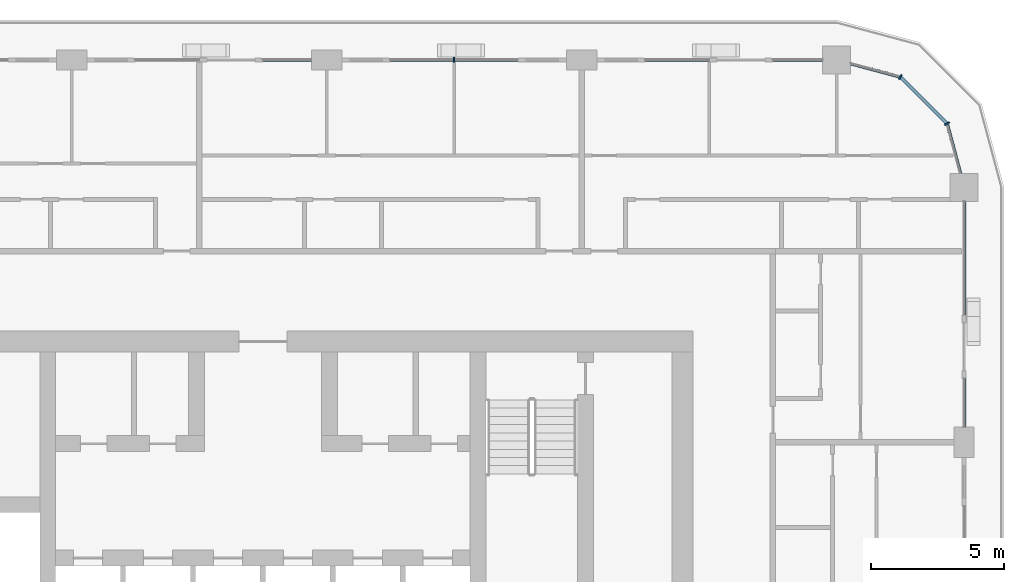
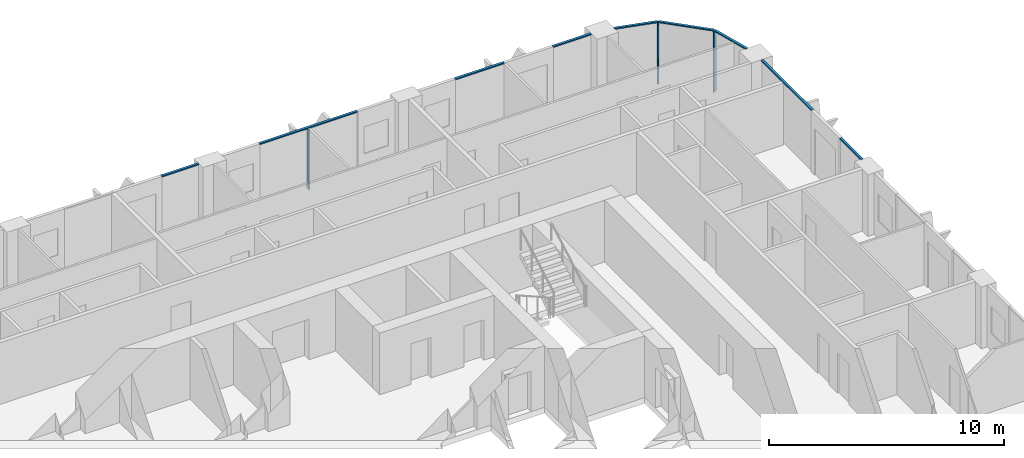
# One storey, part 6 of 22: 12 members, 5 elements without a shape of their own.
"""IFC4 building model written with IfcOpenShell, lengths in metres."""

from ifc_helpers import new_model, si_unit, direction, frame, origin, origin_2d, place, context, subcontext, project, spatial, rectangle, extrude, material, layer, layer_set, material_profile, profile_set, type_object, element, aggregate, save


model = new_model("IFC4")

# Units and contexts
model_context = context("Model", 3, precision=1e-05, world=origin(), true_north=direction((0.0, 1.0)))
body_context = subcontext(model_context, "Body", "Model", "MODEL_VIEW")
ifc_project = project(units=[si_unit("LENGTHUNIT", "METRE"), si_unit("AREAUNIT", "SQUARE_METRE"), si_unit("VOLUMEUNIT", "CUBIC_METRE"), si_unit("PLANEANGLEUNIT", "RADIAN"), si_unit("MASSUNIT", "GRAM", prefix="KILO")], contexts=[model_context])

# Site, building, storey
site_placement = place(None, origin())
site = spatial("IfcSite", under=ifc_project, at=site_placement, CompositionType="ELEMENT")
building_placement = place(site_placement, origin())
building = spatial("IfcBuilding", under=site, at=building_placement, Name="Madar Terraces", CompositionType="ELEMENT")
storey_placement = place(building_placement, frame((0.0, 0.0, 149.0)))
storey = spatial("IfcBuildingStorey", under=building, at=storey_placement, Name="L38", CompositionType="ELEMENT", Elevation=149.0)

# Curtain wall, member
ifc_material_1 = material(Name="Glass, ceramic frit dark grey, with black aluminium frame", Category="aluminium")
ifc_layer = layer(ifc_material_1, 0.199951171875)
ifc_layer_set = layer_set([ifc_layer], Name="Facade curtain wall, fritted glass")
curtain_wall_type = type_object("IfcCurtainWallType", Name="Facade curtain wall, fritted glass", PredefinedType="NOTDEFINED", material=ifc_layer_set)
curtain_wall_1_placement = place(storey_placement, origin())
curtain_wall_1 = element("IfcCurtainWall", 1, at=curtain_wall_1_placement, inside=storey, type_object=curtain_wall_type, Name="Outer skin curtain wall north bay 2", PredefinedType="NOTDEFINED")
ifc_material_2 = material(Name="Aluminium, black anodised", Category="aluminium")
ifc_material_profile_1 = material_profile(ifc_material_2, rectangle(XDim=0.199951171875, YDim=0.06005859375, at=origin_2d()), Name="Facade mullion 60x200")
ifc_profile_set_1 = profile_set([ifc_material_profile_1], Name="Aluminium, black anodised")
member_type_1 = type_object("IfcMemberType", Name="Facade mullion 60x200", PredefinedType="MULLION", material=ifc_profile_set_1)
member_1_placement = place(storey_placement, frame((38.39990234375, 48.0, 0.0), z_axis=(0.0, 0.0, 1.0), x_axis=(0.0, -1.0, 0.0)))
member_1 = element("IfcMember", 2, at=member_1_placement, type_object=member_type_1, Name="Mullion 1", PredefinedType="MULLION", context=body_context, shape_type="SweptSolid", body=[
    extrude(rectangle(XDim=0.199951171875, YDim=0.06005859375, at=origin_2d()), origin(), (0.0, 0.0, 1.0), 3.139892578125),
])

# Curtain wall, members
curtain_wall_2_placement = place(storey_placement, origin())
curtain_wall_2 = element("IfcCurtainWall", 3, at=curtain_wall_2_placement, inside=storey, type_object=curtain_wall_type, Name="Outer skin curtain wall north-east corner", PredefinedType="NOTDEFINED")
member_2_placement = place(storey_placement, frame((56.95703125, 45.60009765625, 0.0), z_axis=(0.0, 0.0, 1.0), x_axis=(-0.866025409797, -0.499999989586, 0.0)))
member_2 = element("IfcMember", 4, at=member_2_placement, type_object=member_type_1, Name="Mullion 1", PredefinedType="MULLION", context=body_context, shape_type="SweptSolid", body=[
    extrude(rectangle(XDim=0.199951171875, YDim=0.06005859375, at=origin_2d()), origin(), (0.0, 0.0, 1.0), 3.139892578125),
])
member_3_placement = place(storey_placement, frame((55.199951171875, 47.35693359375, 0.0), z_axis=(0.0, 0.0, 1.0), x_axis=(-0.499999989586, -0.866025409797, 0.0)))
member_3 = element("IfcMember", 5, at=member_3_placement, type_object=member_type_1, Name="Mullion 2", PredefinedType="MULLION", context=body_context, shape_type="SweptSolid", body=[
    extrude(rectangle(XDim=0.199951171875, YDim=0.06005859375, at=origin_2d()), origin(), (0.0, 0.0, 1.0), 3.139892578125),
])

curtain_wall_3_placement = place(storey_placement, origin())
curtain_wall_3 = element("IfcCurtainWall", 6, at=curtain_wall_3_placement, inside=storey, type_object=curtain_wall_type, Name="Outer skin curtain wall east bay 4", PredefinedType="NOTDEFINED")
ifc_material_3 = material(Name="Aluminium, black anodised", Category="aluminium")
ifc_material_profile_2 = material_profile(ifc_material_3, rectangle(XDim=0.1201171875, YDim=0.06005859375, at=origin_2d()), Name="Facade transom 60x120")
ifc_profile_set_2 = profile_set([ifc_material_profile_2], Name="Aluminium, black anodised")
member_type_2 = type_object("IfcMemberType", Name="Facade transom 60x120", PredefinedType="USERDEFINED", material=ifc_profile_set_2)
member_4_placement = place(storey_placement, frame((57.60009765625, 34.175048828125, 3.169921875), z_axis=(0.0, 1.0, 0.0), x_axis=(-1.0, 0.0, 0.0)))
member_4 = element("IfcMember", 7, at=member_4_placement, type_object=member_type_2, Name="Transom 1", ObjectType="TRANSOM", PredefinedType="USERDEFINED", context=body_context, shape_type="SweptSolid", body=[
    extrude(rectangle(XDim=0.1201171875, YDim=0.06005859375, at=origin_2d()), origin(), (0.0, 0.0, 1.0), 1.824951171875),
])
member_5_placement = place(storey_placement, frame((57.60009765625, 38.39990234375, 3.169921875), z_axis=(0.0, 1.0, 0.0), x_axis=(-1.0, 0.0, 0.0)))
member_5 = element("IfcMember", 8, at=member_5_placement, type_object=member_type_2, Name="Transom 2", ObjectType="TRANSOM", PredefinedType="USERDEFINED", context=body_context, shape_type="SweptSolid", body=[
    extrude(rectangle(XDim=0.1201171875, YDim=0.06005859375, at=origin_2d()), origin(), (0.0, 0.0, 1.0), 4.275146484375),
])
aggregate(curtain_wall_3, [member_4, member_5])

curtain_wall_4_placement = place(storey_placement, origin())
curtain_wall_4 = element("IfcCurtainWall", 9, at=curtain_wall_4_placement, inside=storey, type_object=curtain_wall_type, Name="Outer skin curtain wall north bay 1", PredefinedType="NOTDEFINED")
member_6_placement = place(storey_placement, frame((52.27490234375, 48.0, 3.169921875), z_axis=(-1.0, 0.0, 0.0), x_axis=(0.0, -1.0, 0.0)))
member_6 = element("IfcMember", 10, at=member_6_placement, type_object=member_type_2, Name="Transom 1", ObjectType="TRANSOM", PredefinedType="USERDEFINED", context=body_context, shape_type="SweptSolid", body=[
    extrude(rectangle(XDim=0.1201171875, YDim=0.06005859375, at=origin_2d()), origin(), (0.0, 0.0, 1.0), 1.875),
])
member_7_placement = place(storey_placement, frame((48.0, 48.0, 3.169921875), z_axis=(-1.0, 0.0, 0.0), x_axis=(0.0, -1.0, 0.0)))
member_7 = element("IfcMember", 11, at=member_7_placement, type_object=member_type_2, Name="Transom 2", ObjectType="TRANSOM", PredefinedType="USERDEFINED", context=body_context, shape_type="SweptSolid", body=[
    extrude(rectangle(XDim=0.1201171875, YDim=0.06005859375, at=origin_2d()), origin(), (0.0, 0.0, 1.0), 2.39990234375),
])
aggregate(curtain_wall_4, [member_6, member_7])

# Member
member_8_placement = place(storey_placement, frame((40.800048828125, 48.0, 3.169921875), z_axis=(-1.0, 0.0, 0.0), x_axis=(0.0, -1.0, 0.0)))
member_8 = element("IfcMember", 12, at=member_8_placement, type_object=member_type_2, Name="Transom 1", ObjectType="TRANSOM", PredefinedType="USERDEFINED", context=body_context, shape_type="SweptSolid", body=[
    extrude(rectangle(XDim=0.1201171875, YDim=0.06005859375, at=origin_2d()), origin(), (0.0, 0.0, 1.0), 4.800048828125),
])

aggregate(curtain_wall_1, [member_1, member_8])

# Curtain wall, member
curtain_wall_5_placement = place(storey_placement, origin())
curtain_wall_5 = element("IfcCurtainWall", 13, at=curtain_wall_5_placement, inside=storey, type_object=curtain_wall_type, Name="Outer skin curtain wall north bay 3", PredefinedType="NOTDEFINED")
member_9_placement = place(storey_placement, frame((33.02490234375, 48.0, 3.169921875), z_axis=(-1.0, 0.0, 0.0), x_axis=(0.0, -1.0, 0.0)))
member_9 = element("IfcMember", 14, at=member_9_placement, type_object=member_type_2, Name="Transom 1", ObjectType="TRANSOM", PredefinedType="USERDEFINED", context=body_context, shape_type="SweptSolid", body=[
    extrude(rectangle(XDim=0.1201171875, YDim=0.06005859375, at=origin_2d()), origin(), (0.0, 0.0, 1.0), 1.824951171875),
])
aggregate(curtain_wall_5, [member_9])

# Member
member_10_placement = place(storey_placement, frame((57.459228515625, 43.72509765625, 3.169921875), z_axis=(-0.258823354654, 0.965924671538, 0.0), x_axis=(-0.965924671538, -0.258823354654, 0.0)))
member_10 = element("IfcMember", 15, at=member_10_placement, type_object=member_type_2, Name="Transom 1", ObjectType="TRANSOM", PredefinedType="USERDEFINED", context=body_context, shape_type="SweptSolid", body=[
    extrude(rectangle(XDim=0.1201171875, YDim=0.06005859375, at=origin_2d()), origin(), (0.0, 0.0, 1.0), 1.9111328125),
])

member_11_placement = place(storey_placement, frame((56.935791015625, 45.62109375, 3.169921875), z_axis=(-0.707106781187, 0.707106781187, 0.0), x_axis=(-0.707106781187, -0.707106781187, 0.0)))
member_11 = element("IfcMember", 16, at=member_11_placement, type_object=member_type_2, Name="Transom 2", ObjectType="TRANSOM", PredefinedType="USERDEFINED", context=body_context, shape_type="SweptSolid", body=[
    extrude(rectangle(XDim=0.1201171875, YDim=0.06005859375, at=origin_2d()), origin(), (0.0, 0.0, 1.0), 2.4248046875),
])

member_12_placement = place(storey_placement, frame((55.171142578125, 47.36474609375, 3.169921875), z_axis=(-0.965933227928, 0.25879142023, 0.0), x_axis=(-0.25879142023, -0.965933227928, 0.0)))
member_12 = element("IfcMember", 17, at=member_12_placement, type_object=member_type_2, Name="Transom 3", ObjectType="TRANSOM", PredefinedType="USERDEFINED", context=body_context, shape_type="SweptSolid", body=[
    extrude(rectangle(XDim=0.1201171875, YDim=0.06005859375, at=origin_2d()), origin(), (0.0, 0.0, 1.0), 1.911376953125),
])

aggregate(curtain_wall_2, [member_2, member_10, member_3, member_11, member_12])

save(model, "model.ifc")
